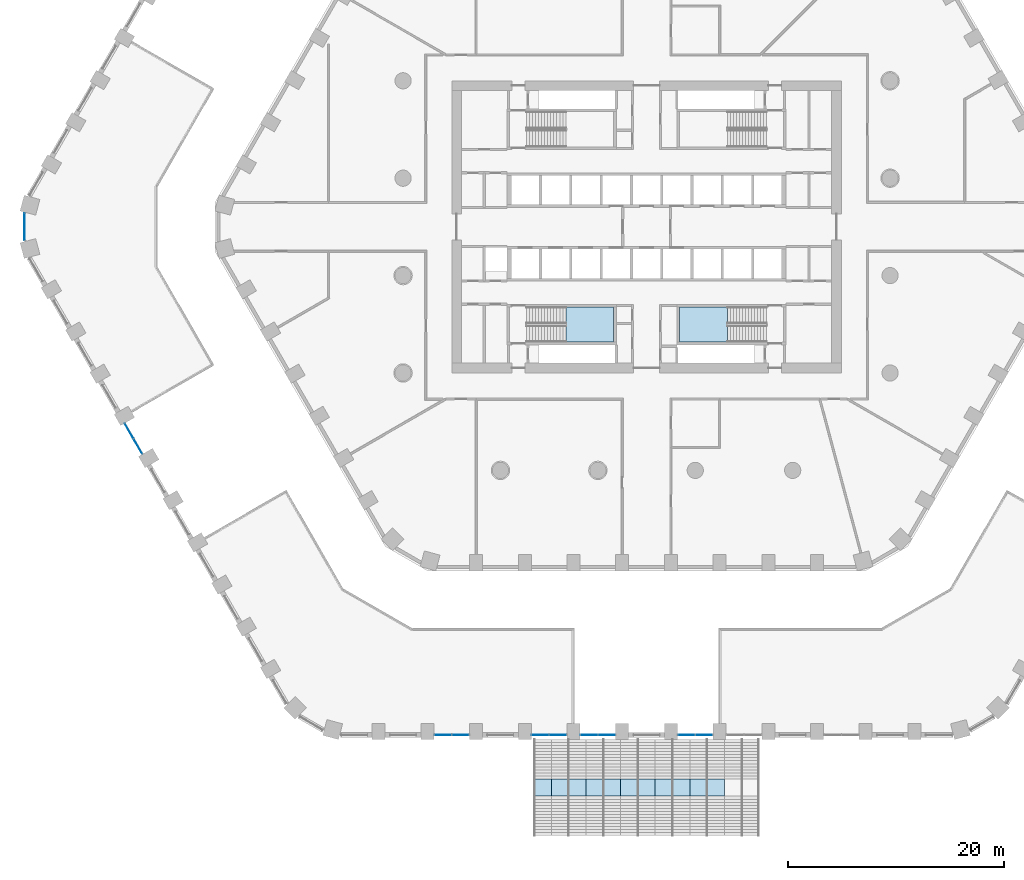
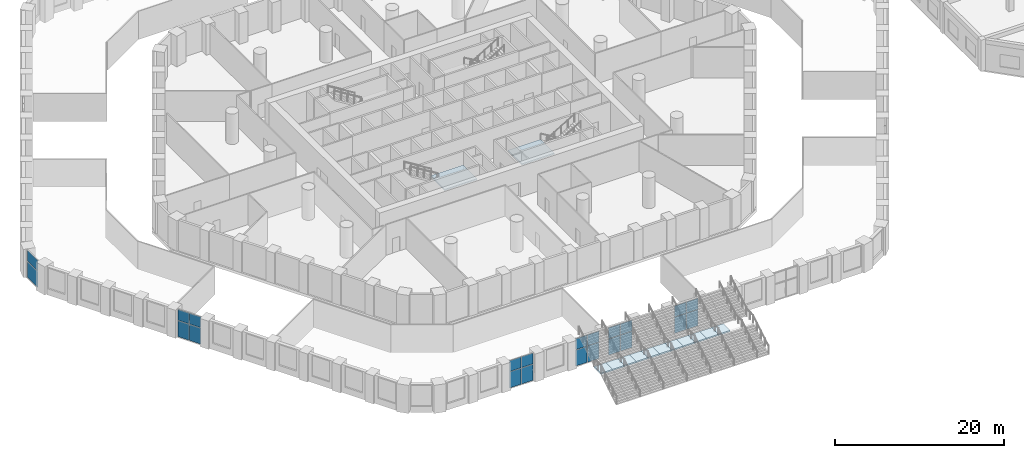
# One storey, part 13 of 42: 22 plates, 13 slabs, 19 elements without a shape of their own.
"""IFC4 building model written with IfcOpenShell, lengths in metres."""

from ifc_helpers import new_model, si_unit, direction, frame, origin, origin_2d, place, context, subcontext, project, spatial, polyline, rectangle, outline, extrude, material, layer, layer_set, type_object, element, aggregate, save


model = new_model("IFC4")

# Units and contexts
model_context = context("Model", 3, precision=1e-05, world=origin(), true_north=direction((0.0, 1.0)))
body_context = subcontext(model_context, "Body", "Model", "MODEL_VIEW")
ifc_project = project(units=[si_unit("LENGTHUNIT", "METRE"), si_unit("AREAUNIT", "SQUARE_METRE"), si_unit("VOLUMEUNIT", "CUBIC_METRE"), si_unit("PLANEANGLEUNIT", "RADIAN"), si_unit("MASSUNIT", "GRAM", prefix="KILO")], contexts=[model_context])

# Site, building, storey
site_placement = place(None, origin())
site = spatial("IfcSite", under=ifc_project, at=site_placement, CompositionType="ELEMENT")
building_placement = place(site_placement, origin())
building = spatial("IfcBuilding", under=site, at=building_placement, Name="Dhurran Vertical Campus", CompositionType="ELEMENT")
storey_placement = place(building_placement, frame((0.0, 0.0, 6.0)))
storey = spatial("IfcBuildingStorey", under=building, at=storey_placement, Name="L01", CompositionType="ELEMENT", Elevation=6.0)

# Curtain wall, plates
ifc_material_1 = material(Name="Aluminium frame with solar-control glass", Category="aluminium")
ifc_layer_1 = layer(ifc_material_1, 0.199951171875)
ifc_layer_set_1 = layer_set([ifc_layer_1], Name="Aluminium frame with solar-control glass")
curtain_wall_type = type_object("IfcCurtainWallType", Name="Entrance glazing system", PredefinedType="NOTDEFINED", material=ifc_layer_set_1)
curtain_wall_1_placement = place(storey_placement, origin())
curtain_wall_1 = element("IfcCurtainWall", 1, at=curtain_wall_1_placement, inside=storey, type_object=curtain_wall_type, Name="CW1 L01.02", PredefinedType="NOTDEFINED")
ifc_material_2 = material(Name="Clear solar-control glass", Category="glass")
ifc_layer_2 = layer(ifc_material_2, 0.028076171875)
ifc_layer_set_2 = layer_set([ifc_layer_2], Name="Clear solar-control glass")
plate_type = type_object("IfcPlateType", Name="Entrance glazing system panel", PredefinedType="CURTAIN_PANEL", material=ifc_layer_set_2)
plate_1_placement = place(storey_placement, frame((-18.809814453125, -46.943359375, 0.06005859375), z_axis=(0.0, 0.0, 1.0), x_axis=(1.0, 0.0, 0.0)))
plate_1 = element("IfcPlate", 2, at=plate_1_placement, type_object=plate_type, Name="CW1 panel 1.1", PredefinedType="CURTAIN_PANEL", context=body_context, shape_type="SweptSolid", body=[
    extrude(rectangle(XDim=1.5595703125, YDim=0.028076171875, at=origin_2d()), origin(), (0.0, 0.0, 1.0), 2.31005859375),
])
plate_2_placement = place(storey_placement, frame((-18.809814453125, -46.943359375, 2.429931640625), z_axis=(0.0, 0.0, 1.0), x_axis=(1.0, 0.0, 0.0)))
plate_2 = element("IfcPlate", 3, at=plate_2_placement, type_object=plate_type, Name="CW1 panel 1.2", PredefinedType="CURTAIN_PANEL", context=body_context, shape_type="SweptSolid", body=[
    extrude(rectangle(XDim=1.5595703125, YDim=0.028076171875, at=origin_2d()), origin(), (0.0, 0.0, 1.0), 1.56005859375),
])
plate_3_placement = place(storey_placement, frame((-17.190185546875, -46.943359375, 0.06005859375), z_axis=(0.0, 0.0, 1.0), x_axis=(1.0, 0.0, 0.0)))
plate_3 = element("IfcPlate", 4, at=plate_3_placement, type_object=plate_type, Name="CW1 panel 2.1", PredefinedType="CURTAIN_PANEL", context=body_context, shape_type="SweptSolid", body=[
    extrude(rectangle(XDim=1.5595703125, YDim=0.028076171875, at=origin_2d()), origin(), (0.0, 0.0, 1.0), 2.31005859375),
])
plate_4_placement = place(storey_placement, frame((-17.190185546875, -46.943359375, 2.429931640625), z_axis=(0.0, 0.0, 1.0), x_axis=(1.0, 0.0, 0.0)))
plate_4 = element("IfcPlate", 5, at=plate_4_placement, type_object=plate_type, Name="CW1 panel 2.2", PredefinedType="CURTAIN_PANEL", context=body_context, shape_type="SweptSolid", body=[
    extrude(rectangle(XDim=1.5595703125, YDim=0.028076171875, at=origin_2d()), origin(), (0.0, 0.0, 1.0), 1.56005859375),
])
aggregate(curtain_wall_1, [plate_1, plate_2, plate_3, plate_4])

curtain_wall_2_placement = place(storey_placement, origin())
curtain_wall_2 = element("IfcCurtainWall", 6, at=curtain_wall_2_placement, inside=storey, type_object=curtain_wall_type, Name="CW1 L01.04", PredefinedType="NOTDEFINED")
plate_5_placement = place(storey_placement, frame((-9.809814453125, -46.943359375, 0.06005859375), z_axis=(0.0, 0.0, 1.0), x_axis=(1.0, 0.0, 0.0)))
plate_5 = element("IfcPlate", 7, at=plate_5_placement, type_object=plate_type, Name="CW1 panel 1.1", PredefinedType="CURTAIN_PANEL", context=body_context, shape_type="SweptSolid", body=[
    extrude(rectangle(XDim=1.5595703125, YDim=0.028076171875, at=origin_2d()), origin(), (0.0, 0.0, 1.0), 2.31005859375),
])
plate_6_placement = place(storey_placement, frame((-9.809814453125, -46.943359375, 2.429931640625), z_axis=(0.0, 0.0, 1.0), x_axis=(1.0, 0.0, 0.0)))
plate_6 = element("IfcPlate", 8, at=plate_6_placement, type_object=plate_type, Name="CW1 panel 1.2", PredefinedType="CURTAIN_PANEL", context=body_context, shape_type="SweptSolid", body=[
    extrude(rectangle(XDim=1.5595703125, YDim=0.028076171875, at=origin_2d()), origin(), (0.0, 0.0, 1.0), 1.56005859375),
])
plate_7_placement = place(storey_placement, frame((-8.190185546875, -46.943359375, 0.06005859375), z_axis=(0.0, 0.0, 1.0), x_axis=(1.0, 0.0, 0.0)))
plate_7 = element("IfcPlate", 9, at=plate_7_placement, type_object=plate_type, Name="CW1 panel 2.1", PredefinedType="CURTAIN_PANEL", context=body_context, shape_type="SweptSolid", body=[
    extrude(rectangle(XDim=1.5595703125, YDim=0.028076171875, at=origin_2d()), origin(), (0.0, 0.0, 1.0), 2.31005859375),
])
plate_8_placement = place(storey_placement, frame((-8.190185546875, -46.943359375, 2.429931640625), z_axis=(0.0, 0.0, 1.0), x_axis=(1.0, 0.0, 0.0)))
plate_8 = element("IfcPlate", 10, at=plate_8_placement, type_object=plate_type, Name="CW1 panel 2.2", PredefinedType="CURTAIN_PANEL", context=body_context, shape_type="SweptSolid", body=[
    extrude(rectangle(XDim=1.5595703125, YDim=0.028076171875, at=origin_2d()), origin(), (0.0, 0.0, 1.0), 1.56005859375),
])
aggregate(curtain_wall_2, [plate_5, plate_6, plate_7, plate_8])

curtain_wall_3_placement = place(storey_placement, origin())
curtain_wall_3 = element("IfcCurtainWall", 11, at=curtain_wall_3_placement, inside=storey, type_object=curtain_wall_type, Name="CW1 L01.05", PredefinedType="NOTDEFINED")
plate_9_placement = place(storey_placement, frame((-5.309814453125, -46.943359375, 0.06005859375), z_axis=(0.0, 0.0, 1.0), x_axis=(1.0, 0.0, 0.0)))
plate_9 = element("IfcPlate", 12, at=plate_9_placement, type_object=plate_type, Name="CW1 panel 1.1", PredefinedType="CURTAIN_PANEL", context=body_context, shape_type="SweptSolid", body=[
    extrude(rectangle(XDim=1.5595703125, YDim=0.028076171875, at=origin_2d()), origin(), (0.0, 0.0, 1.0), 2.31005859375),
])
plate_10_placement = place(storey_placement, frame((-5.309814453125, -46.943359375, 2.429931640625), z_axis=(0.0, 0.0, 1.0), x_axis=(1.0, 0.0, 0.0)))
plate_10 = element("IfcPlate", 13, at=plate_10_placement, type_object=plate_type, Name="CW1 panel 1.2", PredefinedType="CURTAIN_PANEL", context=body_context, shape_type="SweptSolid", body=[
    extrude(rectangle(XDim=1.5595703125, YDim=0.028076171875, at=origin_2d()), origin(), (0.0, 0.0, 1.0), 1.56005859375),
])
plate_11_placement = place(storey_placement, frame((-3.690185546875, -46.943359375, 0.06005859375), z_axis=(0.0, 0.0, 1.0), x_axis=(1.0, 0.0, 0.0)))
plate_11 = element("IfcPlate", 14, at=plate_11_placement, type_object=plate_type, Name="CW1 panel 2.1", PredefinedType="CURTAIN_PANEL", context=body_context, shape_type="SweptSolid", body=[
    extrude(rectangle(XDim=1.5595703125, YDim=0.028076171875, at=origin_2d()), origin(), (0.0, 0.0, 1.0), 2.31005859375),
])
plate_12_placement = place(storey_placement, frame((-3.690185546875, -46.943359375, 2.429931640625), z_axis=(0.0, 0.0, 1.0), x_axis=(1.0, 0.0, 0.0)))
plate_12 = element("IfcPlate", 15, at=plate_12_placement, type_object=plate_type, Name="CW1 panel 2.2", PredefinedType="CURTAIN_PANEL", context=body_context, shape_type="SweptSolid", body=[
    extrude(rectangle(XDim=1.5595703125, YDim=0.028076171875, at=origin_2d()), origin(), (0.0, 0.0, 1.0), 1.56005859375),
])
aggregate(curtain_wall_3, [plate_9, plate_10, plate_11, plate_12])

curtain_wall_4_placement = place(storey_placement, origin())
curtain_wall_4 = element("IfcCurtainWall", 16, at=curtain_wall_4_placement, inside=storey, type_object=curtain_wall_type, Name="CW1 L01.07", PredefinedType="NOTDEFINED")
plate_13_placement = place(storey_placement, frame((3.690185546875, -46.943359375, 0.06005859375), z_axis=(0.0, 0.0, 1.0), x_axis=(1.0, 0.0, 0.0)))
plate_13 = element("IfcPlate", 17, at=plate_13_placement, type_object=plate_type, Name="CW1 panel 1.1", PredefinedType="CURTAIN_PANEL", context=body_context, shape_type="SweptSolid", body=[
    extrude(rectangle(XDim=1.5595703125, YDim=0.028076171875, at=origin_2d()), origin(), (0.0, 0.0, 1.0), 2.31005859375),
])
plate_14_placement = place(storey_placement, frame((3.690185546875, -46.943359375, 2.429931640625), z_axis=(0.0, 0.0, 1.0), x_axis=(1.0, 0.0, 0.0)))
plate_14 = element("IfcPlate", 18, at=plate_14_placement, type_object=plate_type, Name="CW1 panel 1.2", PredefinedType="CURTAIN_PANEL", context=body_context, shape_type="SweptSolid", body=[
    extrude(rectangle(XDim=1.5595703125, YDim=0.028076171875, at=origin_2d()), origin(), (0.0, 0.0, 1.0), 1.56005859375),
])
plate_15_placement = place(storey_placement, frame((5.309814453125, -46.943359375, 0.06005859375), z_axis=(0.0, 0.0, 1.0), x_axis=(1.0, 0.0, 0.0)))
plate_15 = element("IfcPlate", 19, at=plate_15_placement, type_object=plate_type, Name="CW1 panel 2.1", PredefinedType="CURTAIN_PANEL", context=body_context, shape_type="SweptSolid", body=[
    extrude(rectangle(XDim=1.5595703125, YDim=0.028076171875, at=origin_2d()), origin(), (0.0, 0.0, 1.0), 2.31005859375),
])
plate_16_placement = place(storey_placement, frame((5.309814453125, -46.943359375, 2.429931640625), z_axis=(0.0, 0.0, 1.0), x_axis=(1.0, 0.0, 0.0)))
plate_16 = element("IfcPlate", 20, at=plate_16_placement, type_object=plate_type, Name="CW1 panel 2.2", PredefinedType="CURTAIN_PANEL", context=body_context, shape_type="SweptSolid", body=[
    extrude(rectangle(XDim=1.5595703125, YDim=0.028076171875, at=origin_2d()), origin(), (0.0, 0.0, 1.0), 1.56005859375),
])
aggregate(curtain_wall_4, [plate_13, plate_14, plate_15, plate_16])

curtain_wall_5_placement = place(storey_placement, origin())
curtain_wall_5 = element("IfcCurtainWall", 21, at=curtain_wall_5_placement, inside=storey, type_object=curtain_wall_type, Name="CW1 L01.63", PredefinedType="NOTDEFINED")
plate_17_placement = place(storey_placement, frame((-57.47216796875, 0.0, 0.06005859375), z_axis=(0.0, 0.0, 1.0), x_axis=(0.0, -1.0, 0.0)))
plate_17 = element("IfcPlate", 22, at=plate_17_placement, type_object=plate_type, Name="CW1 panel 1.1", PredefinedType="CURTAIN_PANEL", context=body_context, shape_type="SweptSolid", body=[
    extrude(rectangle(XDim=2.478271484375, YDim=0.028076171875, at=origin_2d()), origin(), (0.0, 0.0, 1.0), 2.31005859375),
])
plate_18_placement = place(storey_placement, frame((-57.47216796875, 0.0, 2.429931640625), z_axis=(0.0, 0.0, 1.0), x_axis=(0.0, -1.0, 0.0)))
plate_18 = element("IfcPlate", 23, at=plate_18_placement, type_object=plate_type, Name="CW1 panel 1.2", PredefinedType="CURTAIN_PANEL", context=body_context, shape_type="SweptSolid", body=[
    extrude(rectangle(XDim=2.478271484375, YDim=0.028076171875, at=origin_2d()), origin(), (0.0, 0.0, 1.0), 1.56005859375),
])
aggregate(curtain_wall_5, [plate_17, plate_18])

curtain_wall_6_placement = place(storey_placement, origin())
curtain_wall_6 = element("IfcCurtainWall", 24, at=curtain_wall_6_placement, inside=storey, type_object=curtain_wall_type, Name="CW1 L01.68", PredefinedType="NOTDEFINED")
plate_19_placement = place(storey_placement, frame((-47.808837890625, -18.873291015625, 0.06005859375), z_axis=(0.0, 0.0, 1.0), x_axis=(0.50000233729, -0.866024054345, 0.0)))
plate_19 = element("IfcPlate", 25, at=plate_19_placement, type_object=plate_type, Name="CW1 panel 1.1", PredefinedType="CURTAIN_PANEL", context=body_context, shape_type="SweptSolid", body=[
    extrude(rectangle(XDim=1.5595703125, YDim=0.028076171875, at=origin_2d()), origin(), (0.0, 0.0, 1.0), 2.31005859375),
])
plate_20_placement = place(storey_placement, frame((-47.808837890625, -18.873291015625, 2.429931640625), z_axis=(0.0, 0.0, 1.0), x_axis=(0.50000233729, -0.866024054345, 0.0)))
plate_20 = element("IfcPlate", 26, at=plate_20_placement, type_object=plate_type, Name="CW1 panel 1.2", PredefinedType="CURTAIN_PANEL", context=body_context, shape_type="SweptSolid", body=[
    extrude(rectangle(XDim=1.5595703125, YDim=0.028076171875, at=origin_2d()), origin(), (0.0, 0.0, 1.0), 1.56005859375),
])
plate_21_placement = place(storey_placement, frame((-46.999267578125, -20.27587890625, 0.06005859375), z_axis=(0.0, 0.0, 1.0), x_axis=(0.50000233729, -0.866024054345, 0.0)))
plate_21 = element("IfcPlate", 27, at=plate_21_placement, type_object=plate_type, Name="CW1 panel 2.1", PredefinedType="CURTAIN_PANEL", context=body_context, shape_type="SweptSolid", body=[
    extrude(rectangle(XDim=1.5595703125, YDim=0.028076171875, at=origin_2d()), origin(), (0.0, 0.0, 1.0), 2.31005859375),
])
plate_22_placement = place(storey_placement, frame((-46.999267578125, -20.27587890625, 2.429931640625), z_axis=(0.0, 0.0, 1.0), x_axis=(0.50000233729, -0.866024054345, 0.0)))
plate_22 = element("IfcPlate", 28, at=plate_22_placement, type_object=plate_type, Name="CW1 panel 2.2", PredefinedType="CURTAIN_PANEL", context=body_context, shape_type="SweptSolid", body=[
    extrude(rectangle(XDim=1.5595703125, YDim=0.028076171875, at=origin_2d()), origin(), (0.0, 0.0, 1.0), 1.56005859375),
])
aggregate(curtain_wall_6, [plate_19, plate_20, plate_21, plate_22])

# Stair, slab
ifc_material_3 = material(Name="Concrete C40/50", Category="concrete")
stair_type_1 = type_object("IfcStairType", Name="co-ST-CORE", PredefinedType="HALF_TURN_STAIR", material=ifc_material_3)
stair_1_placement = place(storey_placement, origin())
stair_1 = element("IfcStair", 29, at=stair_1_placement, inside=storey, type_object=stair_type_1, Name="L01 Protected exit stair ST3", PredefinedType="HALF_TURN_STAIR")
ifc_material_4 = material(Name="Concrete C40/50", Category="concrete")
ifc_layer_3 = layer(ifc_material_4, 0.199951171875)
ifc_layer_set_3 = layer_set([ifc_layer_3], Name="Concrete C40/50")
slab_type_1 = type_object("IfcSlabType", Name="co-SL-LANDING", PredefinedType="LANDING", material=ifc_layer_set_3)
slab_1_placement = place(storey_placement, frame((0.0, 0.0, 2.199951171875)))
slab_1 = element("IfcSlab", 30, at=slab_1_placement, type_object=slab_type_1, Name="ST3 landing 1", PredefinedType="LANDING", context=body_context, shape_type="SweptSolid", body=[
    extrude(outline(polyline([(-7.4599609375, -10.64990234375), (-3.050048828125, -10.64990234375), (-3.050048828125, -7.39990234375), (-7.4599609375, -7.39990234375), (-7.4599609375, -10.64990234375)])), origin(), (0.0, 0.0, 1.0), 0.199951171875),
])
aggregate(stair_1, [slab_1])

stair_2_placement = place(storey_placement, origin())
stair_2 = element("IfcStair", 31, at=stair_2_placement, inside=storey, type_object=stair_type_1, Name="L01 Protected exit stair ST4", PredefinedType="HALF_TURN_STAIR")
slab_2_placement = place(storey_placement, frame((0.0, 0.0, 2.199951171875)))
slab_2 = element("IfcSlab", 32, at=slab_2_placement, type_object=slab_type_1, Name="ST4 landing 1", PredefinedType="LANDING", context=body_context, shape_type="SweptSolid", body=[
    extrude(outline(polyline([(7.4599609375, -7.39990234375), (3.050048828125, -7.39990234375), (3.050048828125, -10.64990234375), (7.4599609375, -10.64990234375), (7.4599609375, -7.39990234375)])), origin(), (0.0, 0.0, 1.0), 0.199951171875),
])
aggregate(stair_2, [slab_2])

ifc_material_5 = material(Name="Concrete C40/50", Category="concrete")
stair_type_2 = type_object("IfcStairType", Name="st-broad stair straight 3 flights", PredefinedType="STRAIGHT_RUN_STAIR", material=ifc_material_5)
stair_3_placement = place(storey_placement, origin())
stair_3 = element("IfcStair", 33, at=stair_3_placement, inside=storey, type_object=stair_type_2, Name="Broad stair DS2-01 to the raised garden", PredefinedType="STRAIGHT_RUN_STAIR")
ifc_material_6 = material(Name="Concrete C40/50", Category="concrete")
ifc_layer_4 = layer(ifc_material_6, 0.199951171875)
ifc_layer_set_4 = layer_set([ifc_layer_4], Name="Concrete C40/50")
slab_type_2 = type_object("IfcSlabType", Name="st-stair landing 200", PredefinedType="LANDING", material=ifc_layer_set_4)
slab_3_placement = place(storey_placement, frame((0.0, 0.0, 2.199951171875)))
slab_3 = element("IfcSlab", 34, at=slab_3_placement, type_object=slab_type_2, Name="DS2-01 landing 1", PredefinedType="LANDING", context=body_context, shape_type="SweptSolid", body=[
    extrude(outline(polyline([(-10.39990234375, -52.608154296875), (-8.800048828125, -52.608154296875), (-8.800048828125, -51.00830078125), (-10.39990234375, -51.00830078125), (-10.39990234375, -52.608154296875)])), origin(), (0.0, 0.0, 1.0), 0.199951171875),
])
aggregate(stair_3, [slab_3])

stair_4_placement = place(storey_placement, origin())
stair_4 = element("IfcStair", 35, at=stair_4_placement, inside=storey, type_object=stair_type_2, Name="Broad stair DS2-02 to the raised garden", PredefinedType="STRAIGHT_RUN_STAIR")
slab_4_placement = place(storey_placement, frame((0.0, 0.0, 2.199951171875)))
slab_4 = element("IfcSlab", 36, at=slab_4_placement, type_object=slab_type_2, Name="DS2-02 landing 1", PredefinedType="LANDING", context=body_context, shape_type="SweptSolid", body=[
    extrude(outline(polyline([(-8.800048828125, -52.608154296875), (-7.199951171875, -52.608154296875), (-7.199951171875, -51.00830078125), (-8.800048828125, -51.00830078125), (-8.800048828125, -52.608154296875)])), origin(), (0.0, 0.0, 1.0), 0.199951171875),
])
aggregate(stair_4, [slab_4])

stair_5_placement = place(storey_placement, origin())
stair_5 = element("IfcStair", 37, at=stair_5_placement, inside=storey, type_object=stair_type_2, Name="Broad stair DS2-03 to the raised garden", PredefinedType="STRAIGHT_RUN_STAIR")
slab_5_placement = place(storey_placement, frame((0.0, 0.0, 2.199951171875)))
slab_5 = element("IfcSlab", 38, at=slab_5_placement, type_object=slab_type_2, Name="DS2-03 landing 1", PredefinedType="LANDING", context=body_context, shape_type="SweptSolid", body=[
    extrude(outline(polyline([(-7.199951171875, -52.608154296875), (-5.60009765625, -52.608154296875), (-5.60009765625, -51.00830078125), (-7.199951171875, -51.00830078125), (-7.199951171875, -52.608154296875)])), origin(), (0.0, 0.0, 1.0), 0.199951171875),
])
aggregate(stair_5, [slab_5])

stair_6_placement = place(storey_placement, origin())
stair_6 = element("IfcStair", 39, at=stair_6_placement, inside=storey, type_object=stair_type_2, Name="Broad stair DS2-04 to the raised garden", PredefinedType="STRAIGHT_RUN_STAIR")
slab_6_placement = place(storey_placement, frame((0.0, 0.0, 2.199951171875)))
slab_6 = element("IfcSlab", 40, at=slab_6_placement, type_object=slab_type_2, Name="DS2-04 landing 1", PredefinedType="LANDING", context=body_context, shape_type="SweptSolid", body=[
    extrude(outline(polyline([(-5.60009765625, -52.608154296875), (-4.0, -52.608154296875), (-4.0, -51.00830078125), (-5.60009765625, -51.00830078125), (-5.60009765625, -52.608154296875)])), origin(), (0.0, 0.0, 1.0), 0.199951171875),
])
aggregate(stair_6, [slab_6])

stair_7_placement = place(storey_placement, origin())
stair_7 = element("IfcStair", 41, at=stair_7_placement, inside=storey, type_object=stair_type_2, Name="Broad stair DS2-05 to the raised garden", PredefinedType="STRAIGHT_RUN_STAIR")
slab_7_placement = place(storey_placement, frame((0.0, 0.0, 2.199951171875)))
slab_7 = element("IfcSlab", 42, at=slab_7_placement, type_object=slab_type_2, Name="DS2-05 landing 1", PredefinedType="LANDING", context=body_context, shape_type="SweptSolid", body=[
    extrude(outline(polyline([(-4.0, -52.608154296875), (-2.39990234375, -52.608154296875), (-2.39990234375, -51.00830078125), (-4.0, -51.00830078125), (-4.0, -52.608154296875)])), origin(), (0.0, 0.0, 1.0), 0.199951171875),
])
aggregate(stair_7, [slab_7])

stair_8_placement = place(storey_placement, origin())
stair_8 = element("IfcStair", 43, at=stair_8_placement, inside=storey, type_object=stair_type_2, Name="Broad stair DS2-06 to the raised garden", PredefinedType="STRAIGHT_RUN_STAIR")
slab_8_placement = place(storey_placement, frame((0.0, 0.0, 2.199951171875)))
slab_8 = element("IfcSlab", 44, at=slab_8_placement, type_object=slab_type_2, Name="DS2-06 landing 1", PredefinedType="LANDING", context=body_context, shape_type="SweptSolid", body=[
    extrude(outline(polyline([(-2.39990234375, -52.608154296875), (-0.800048828125, -52.608154296875), (-0.800048828125, -51.00830078125), (-2.39990234375, -51.00830078125), (-2.39990234375, -52.608154296875)])), origin(), (0.0, 0.0, 1.0), 0.199951171875),
])
aggregate(stair_8, [slab_8])

stair_9_placement = place(storey_placement, origin())
stair_9 = element("IfcStair", 45, at=stair_9_placement, inside=storey, type_object=stair_type_2, Name="Broad stair DS2-07 to the raised garden", PredefinedType="STRAIGHT_RUN_STAIR")
slab_9_placement = place(storey_placement, frame((0.0, 0.0, 2.199951171875)))
slab_9 = element("IfcSlab", 46, at=slab_9_placement, type_object=slab_type_2, Name="DS2-07 landing 1", PredefinedType="LANDING", context=body_context, shape_type="SweptSolid", body=[
    extrude(outline(polyline([(-0.800048828125, -52.608154296875), (0.800048828125, -52.608154296875), (0.800048828125, -51.00830078125), (-0.800048828125, -51.00830078125), (-0.800048828125, -52.608154296875)])), origin(), (0.0, 0.0, 1.0), 0.199951171875),
])
aggregate(stair_9, [slab_9])

stair_10_placement = place(storey_placement, origin())
stair_10 = element("IfcStair", 47, at=stair_10_placement, inside=storey, type_object=stair_type_2, Name="Broad stair DS2-08 to the raised garden", PredefinedType="STRAIGHT_RUN_STAIR")
slab_10_placement = place(storey_placement, frame((0.0, 0.0, 2.199951171875)))
slab_10 = element("IfcSlab", 48, at=slab_10_placement, type_object=slab_type_2, Name="DS2-08 landing 1", PredefinedType="LANDING", context=body_context, shape_type="SweptSolid", body=[
    extrude(outline(polyline([(0.800048828125, -52.608154296875), (2.39990234375, -52.608154296875), (2.39990234375, -51.00830078125), (0.800048828125, -51.00830078125), (0.800048828125, -52.608154296875)])), origin(), (0.0, 0.0, 1.0), 0.199951171875),
])
aggregate(stair_10, [slab_10])

stair_11_placement = place(storey_placement, origin())
stair_11 = element("IfcStair", 49, at=stair_11_placement, inside=storey, type_object=stair_type_2, Name="Broad stair DS2-09 to the raised garden", PredefinedType="STRAIGHT_RUN_STAIR")
slab_11_placement = place(storey_placement, frame((0.0, 0.0, 2.199951171875)))
slab_11 = element("IfcSlab", 50, at=slab_11_placement, type_object=slab_type_2, Name="DS2-09 landing 1", PredefinedType="LANDING", context=body_context, shape_type="SweptSolid", body=[
    extrude(outline(polyline([(2.39990234375, -52.608154296875), (4.0, -52.608154296875), (4.0, -51.00830078125), (2.39990234375, -51.00830078125), (2.39990234375, -52.608154296875)])), origin(), (0.0, 0.0, 1.0), 0.199951171875),
])
aggregate(stair_11, [slab_11])

stair_12_placement = place(storey_placement, origin())
stair_12 = element("IfcStair", 51, at=stair_12_placement, inside=storey, type_object=stair_type_2, Name="Broad stair DS2-10 to the raised garden", PredefinedType="STRAIGHT_RUN_STAIR")
slab_12_placement = place(storey_placement, frame((0.0, 0.0, 2.199951171875)))
slab_12 = element("IfcSlab", 52, at=slab_12_placement, type_object=slab_type_2, Name="DS2-10 landing 1", PredefinedType="LANDING", context=body_context, shape_type="SweptSolid", body=[
    extrude(outline(polyline([(4.0, -52.608154296875), (5.60009765625, -52.608154296875), (5.60009765625, -51.00830078125), (4.0, -51.00830078125), (4.0, -52.608154296875)])), origin(), (0.0, 0.0, 1.0), 0.199951171875),
])
aggregate(stair_12, [slab_12])

stair_13_placement = place(storey_placement, origin())
stair_13 = element("IfcStair", 53, at=stair_13_placement, inside=storey, type_object=stair_type_2, Name="Broad stair DS2-11 to the raised garden", PredefinedType="STRAIGHT_RUN_STAIR")
slab_13_placement = place(storey_placement, frame((0.0, 0.0, 2.199951171875)))
slab_13 = element("IfcSlab", 54, at=slab_13_placement, type_object=slab_type_2, Name="DS2-11 landing 1", PredefinedType="LANDING", context=body_context, shape_type="SweptSolid", body=[
    extrude(outline(polyline([(5.60009765625, -52.608154296875), (7.199951171875, -52.608154296875), (7.199951171875, -51.00830078125), (5.60009765625, -51.00830078125), (5.60009765625, -52.608154296875)])), origin(), (0.0, 0.0, 1.0), 0.199951171875),
])
aggregate(stair_13, [slab_13])

save(model, "model.ifc")
